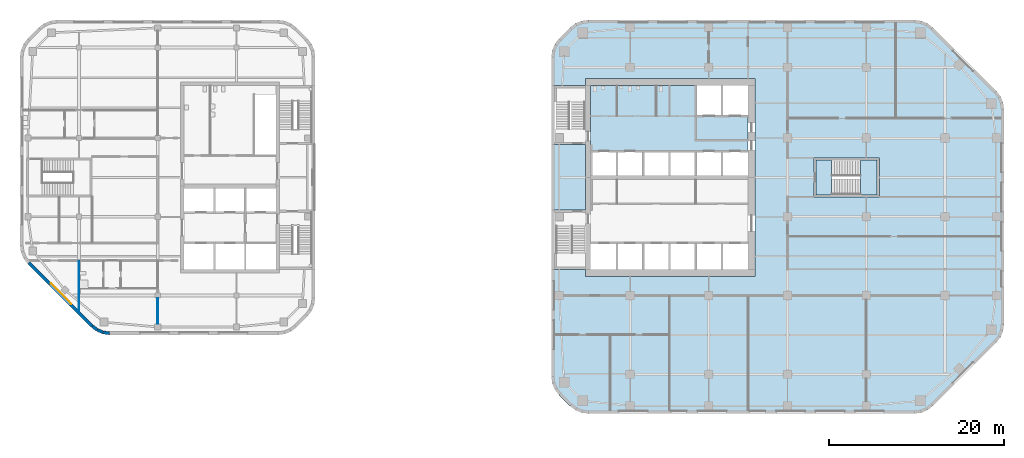
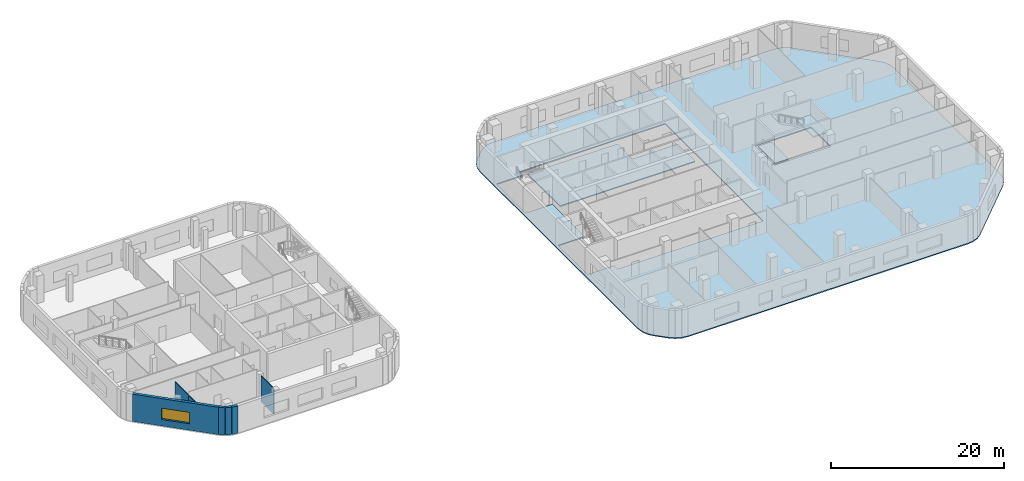
# One storey, part 4 of 14: 7 walls, 4 slabs, 1 window, 1 opening, 1 element without a shape of its own.
"""IFC4 building model written with IfcOpenShell, lengths in metres."""

from ifc_helpers import new_model, si_unit, direction, frame, frame_2d, origin, place, context, subcontext, project, spatial, polyline, rectangle, outline, extrude, material, layer, layer_set, type_object, element, fill, aggregate, save


model = new_model("IFC4")

# Units and contexts
model_context = context("Model", 3, precision=1e-05, world=origin(), true_north=direction((0.0, 1.0)))
body_context = subcontext(model_context, "Body", "Model", "MODEL_VIEW")
ifc_project = project(units=[si_unit("LENGTHUNIT", "METRE"), si_unit("AREAUNIT", "SQUARE_METRE"), si_unit("VOLUMEUNIT", "CUBIC_METRE"), si_unit("PLANEANGLEUNIT", "RADIAN"), si_unit("MASSUNIT", "GRAM", prefix="KILO")], contexts=[model_context])

# Site, building, storey
site_placement = place(None, origin())
site = spatial("IfcSite", under=ifc_project, at=site_placement, CompositionType="ELEMENT")
building_placement = place(site_placement, origin())
building = spatial("IfcBuilding", under=site, at=building_placement, Name="Cinnabar Reach Civic Tower", CompositionType="ELEMENT")
storey_placement = place(building_placement, frame((0.0, 0.0, 124.0)))
storey = spatial("IfcBuildingStorey", under=building, at=storey_placement, Name="L29", CompositionType="ELEMENT", Elevation=124.0)

# Slab
ifc_material_1 = material(Name="Concrete C40", Category="concrete")
ifc_layer_1 = layer(ifc_material_1, 0.15)
ifc_layer_set_1 = layer_set([ifc_layer_1], Name="Composite floor slab 150 REI 150")
slab_type_1 = type_object("IfcSlabType", Name="Composite floor slab 150 REI 150", PredefinedType="FLOOR", material=ifc_layer_set_1)
slab_1_placement = place(storey_placement, frame((0.0, 0.0, -0.15)))
element("IfcSlab", 1, at=slab_1_placement, inside=storey, type_object=slab_type_1, Name="Composite floor slab 150 T1 L29", PredefinedType="FLOOR", context=body_context, shape_type="SweptSolid", body=[
    extrude(outline(polyline([(0.8787, 6.6213), (0.4019, 7.2426), (0.1022, 7.9662), (0.0, 8.7426), (0.0, 45.2574), (0.1022, 46.0338), (0.4019, 46.7574), (0.8787, 47.3787), (2.1213, 48.6213), (2.7426, 49.0981), (3.4662, 49.3978), (4.2426, 49.5), (41.5074, 49.5), (42.2838, 49.3978), (43.0074, 49.0981), (43.6287, 48.6213), (50.8713, 41.3787), (51.3481, 40.7574), (51.6478, 40.0338), (51.75, 39.2574), (51.75, 14.7426), (51.6478, 13.9662), (51.3481, 13.2426), (50.8713, 12.6213), (43.6287, 5.3787), (43.0074, 4.9019), (42.2838, 4.6022), (41.5074, 4.5), (4.2426, 4.5), (3.4662, 4.6022), (2.7426, 4.9019), (2.1213, 5.3787), (0.8787, 6.6213)]), holes=[polyline([(0.36, 21.0), (3.9, 21.0), (3.9, 20.2), (23.3, 20.2), (23.3, 42.8), (3.9, 42.8), (3.9, 42.0), (0.36, 42.0), (0.36, 35.25), (3.9, 35.25), (3.9, 27.75), (0.36, 27.75), (0.36, 21.0)]), polyline([(30.0, 33.75), (30.0, 29.25), (37.5, 29.25), (37.5, 33.75), (30.0, 33.75)])]), origin(), (0.0, 0.0, 1.0), 0.15),
])

# Stair, slabs
ifc_material_2 = material(Name="Concrete C40/50", Category="concrete")
stair_type = type_object("IfcStairType", Name="T1 Exit stair, half-turn", PredefinedType="HALF_TURN_STAIR", material=ifc_material_2)
stair_placement = place(storey_placement, origin())
stair = element("IfcStair", 2, at=stair_placement, inside=storey, type_object=stair_type, Name="Stair T1-S3", PredefinedType="HALF_TURN_STAIR")
ifc_layer_2 = layer(ifc_material_2, 0.2)
ifc_layer_set_2 = layer_set([ifc_layer_2], Name="T1 Stair landing 200, Concrete C40/50")
slab_type_2 = type_object("IfcSlabType", Name="T1 Stair landing 200, Concrete C40/50", PredefinedType="LANDING", material=ifc_layer_set_2)
slab_2_placement = place(storey_placement, frame((0.0, 0.0, -0.2)))
slab_2 = element("IfcSlab", 3, at=slab_2_placement, type_object=slab_type_2, Name="T1-S3 landing 1", PredefinedType="LANDING", context=body_context, shape_type="SweptSolid", body=[
    extrude(outline(polyline([(30.25, 29.5), (32.05, 29.5), (32.05, 33.5), (30.25, 33.5), (30.25, 29.5)])), origin(), (0.0, 0.0, 1.0), 0.2),
])
slab_3_placement = place(storey_placement, frame((0.0, 0.0, 1.8)))
slab_3 = element("IfcSlab", 4, at=slab_3_placement, type_object=slab_type_2, Name="T1-S3 landing 2", PredefinedType="LANDING", context=body_context, shape_type="SweptSolid", body=[
    extrude(outline(polyline([(35.35, 29.5), (37.25, 29.5), (37.25, 33.5), (35.35, 33.5), (35.35, 29.5)])), origin(), (0.0, 0.0, 1.0), 0.2),
])
aggregate(stair, [slab_2, slab_3])

# Slab
ifc_layer_3 = layer(ifc_material_2, 0.15)
ifc_layer_set_3 = layer_set([ifc_layer_3], Name="T1 core floor slab 150")
slab_type_3 = type_object("IfcSlabType", Name="T1 core floor slab 150", PredefinedType="FLOOR", material=ifc_layer_set_3)
slab_4_placement = place(storey_placement, frame((0.0, 0.0, -0.15)))
element("IfcSlab", 5, at=slab_4_placement, inside=storey, type_object=slab_type_3, Name="Core floor slab L29", PredefinedType="FLOOR", context=body_context, shape_type="SweptSolid", body=[
    extrude(outline(polyline([(22.5, 34.5), (19.5, 34.5), (16.5, 34.5), (13.5, 34.5), (10.5, 34.5), (7.5, 34.5), (4.5, 34.5), (4.5, 42.0), (16.5, 42.0), (16.5, 38.5), (19.5, 38.5), (22.5, 38.5), (22.5, 34.5)])), origin(), (0.0, 0.0, 1.0), 0.15),
])

# Walls
ifc_material_3 = material(Name="Facing brick with insulated backing", Category="masonry")
ifc_layer_4 = layer(ifc_material_3, 0.36)
ifc_layer_set_4 = layer_set([ifc_layer_4], Name="Brick corner wall")
wall_type_1 = type_object("IfcWallType", Name="Brick corner wall", PredefinedType="STANDARD", material=ifc_layer_set_4)
wall_1_placement = place(storey_placement, frame((-52.4913, 14.5002, 0.0), z_axis=(0.0, 0.0, 1.0), x_axis=(0.793321924995, -0.608802368033, 0.0)))
element("IfcWall", 6, at=wall_1_placement, inside=storey, type_object=wall_type_1, Name="Brick corner wall", PredefinedType="STANDARD", context=body_context, shape_type="SweptSolid", body=[
    extrude(rectangle(XDim=0.7132, YDim=0.36, at=frame_2d((0.3566, 0.0))), origin(), (0.0, 0.0, 1.0), 3.85),
])
for number, where, z_axis, x_axis, name in (
    (7, (-51.9061, 14.0548, 0.0), (0.0, 0.0, 1.0), (0.923871547278, -0.382702709855, 0.0), "Brick corner wall"),
    (8, (-51.2256, 13.7761, 0.0), (0.0, 0.0, 1.0), (0.99144092581, -0.13055608231, 0.0), "Brick corner wall"),
):
    element("IfcWall", number, at=place(storey_placement, frame(where, z_axis=z_axis, x_axis=x_axis)), inside=storey, type_object=wall_type_1, Name=name, PredefinedType="STANDARD", context=body_context, shape_type="SweptSolid", body=[
        extrude(rectangle(XDim=0.7131, YDim=0.36, at=frame_2d((0.3565, 0.0))), origin(), (0.0, 0.0, 1.0), 3.85),
    ])

# Wall, opening, window
ifc_layer_5 = layer(ifc_material_3, 0.36)
ifc_layer_set_5 = layer_set([ifc_layer_5], Name="Brick pier and spandrel wall")
wall_type_2 = type_object("IfcWallType", Name="Brick pier and spandrel wall", PredefinedType="STANDARD", material=ifc_layer_set_5)
wall_2_placement = place(storey_placement, frame((-59.744, 21.7486, 0.0), z_axis=(0.0, 0.0, 1.0), x_axis=(0.707106781187, -0.707106781187, 0.0)))
wall_2 = element("IfcWall", 9, at=wall_2_placement, inside=storey, type_object=wall_type_2, Name="Brick facade wall", PredefinedType="STANDARD", context=body_context, shape_type="SweptSolid", body=[
    extrude(rectangle(XDim=10.2426, YDim=0.36, at=frame_2d((5.1213, 0.0))), origin(), (0.0, 0.0, 1.0), 3.85),
])
opening_placement = place(wall_2_placement, frame((3.4713, 0.0, 0.9)))
opening = element("IfcOpeningElement", 10, at=opening_placement, cuts=wall_2, Name="Opening W2764", PredefinedType="OPENING", context=body_context, shape_type="SweptSolid", body=[
    extrude(rectangle(XDim=3.3, YDim=1.6, at=frame_2d((1.65, 0.8))), frame((0.0, 0.19, 0.0), z_axis=(0.0, -1.0, 0.0), x_axis=(1.0, 0.0, 0.0)), (0.0, 0.0, 1.0), 0.38),
])
ifc_material_4 = material(Name="Clear double glazing in aluminium frame", Category="aluminium")
window_type = type_object("IfcWindowType", Name="Deep-set window A", PartitioningType="SINGLE_PANEL", PredefinedType="WINDOW", material=ifc_material_4)
window_placement = place(opening_placement, origin())
window = element("IfcWindow", 11, at=window_placement, inside=storey, type_object=window_type, Name="Window southwest face", OverallHeight=1.6, OverallWidth=3.3, PartitioningType="SINGLE_PANEL", PredefinedType="WINDOW", context=body_context, shape_type="SweptSolid", body=[
    extrude(rectangle(XDim=3.3, YDim=1.6, at=frame_2d((1.65, 0.8))), frame((0.0, 0.13, 0.0), z_axis=(0.0, -1.0, 0.0), x_axis=(1.0, 0.0, 0.0)), (0.0, 0.0, 1.0), 0.06),
])
fill(opening, window)

# Walls
ifc_material_5 = material(Name="Gypsum board on steel studs", Category="steel")
ifc_layer_6 = layer(ifc_material_5, 0.1)
ifc_layer_set_6 = layer_set([ifc_layer_6], Name="Partition wall 100 T2")
wall_type_3 = type_object("IfcWallType", Name="Partition wall 100 T2", PredefinedType="PARTITIONING", material=ifc_layer_set_6)
wall_3_placement = place(storey_placement, frame((-45.0, 14.75, 0.0), z_axis=(0.0, 0.0, 1.0), x_axis=(0.0, 1.0, 0.0)))
element("IfcWall", 12, at=wall_3_placement, inside=storey, type_object=wall_type_3, Name="Partition wall 16", PredefinedType="PARTITIONING", context=body_context, shape_type="SweptSolid", body=[
    extrude(rectangle(XDim=2.95, YDim=0.1, at=frame_2d((1.475, 0.0))), origin(), (0.0, 0.0, 1.0), 3.652),
])
wall_4_placement = place(storey_placement, frame((-54.0, 18.85, 0.0), z_axis=(0.0, 0.0, 1.0), x_axis=(0.0, 1.0, 0.0)))
element("IfcWall", 13, at=wall_4_placement, inside=storey, type_object=wall_type_3, Name="Partition wall 17", PredefinedType="PARTITIONING", context=body_context, shape_type="SweptSolid", body=[
    extrude(rectangle(XDim=3.075, YDim=0.1, at=frame_2d((1.5375, 0.0))), origin(), (0.0, 0.0, 1.0), 3.362),
])
wall_5_placement = place(storey_placement, frame((-54.0, 16.2591, 0.0), z_axis=(0.0, 0.0, 1.0), x_axis=(0.0, 1.0, 0.0)))
element("IfcWall", 14, at=wall_5_placement, inside=storey, type_object=wall_type_3, Name="Partition wall 18", PredefinedType="PARTITIONING", context=body_context, shape_type="SweptSolid", body=[
    extrude(rectangle(XDim=2.4909, YDim=0.1, at=frame_2d((1.2454, 0.0))), origin(), (0.0, 0.0, 1.0), 3.362),
])

save(model, "model.ifc")
